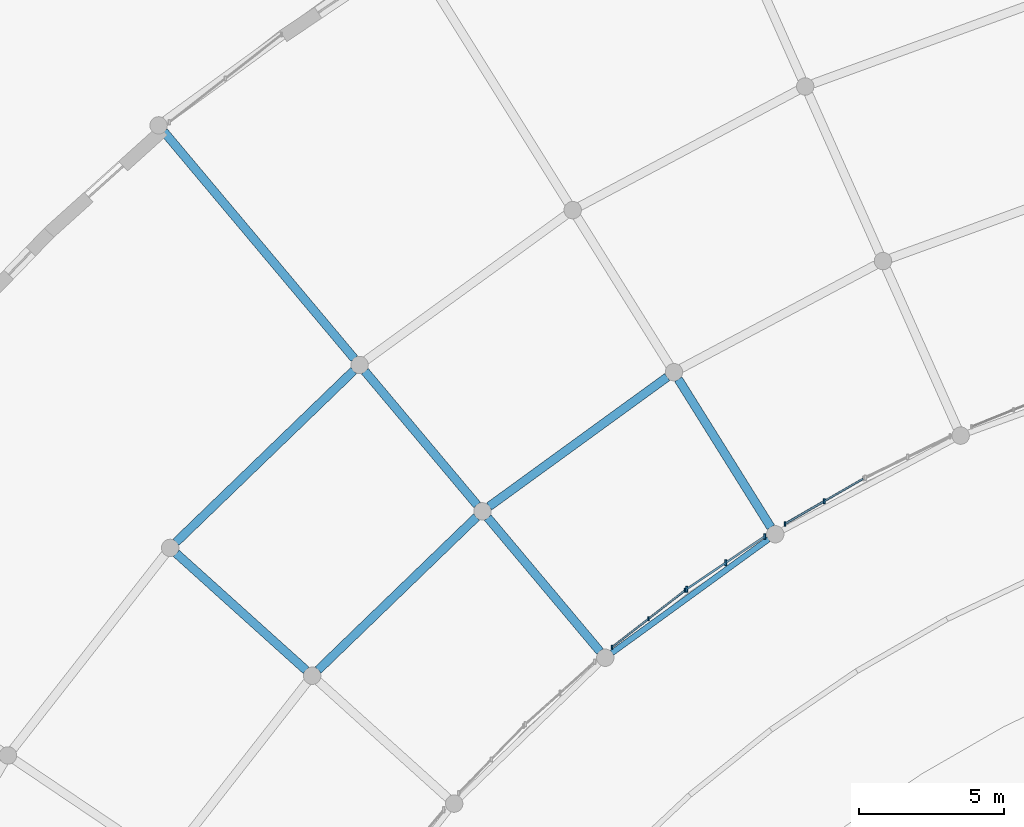
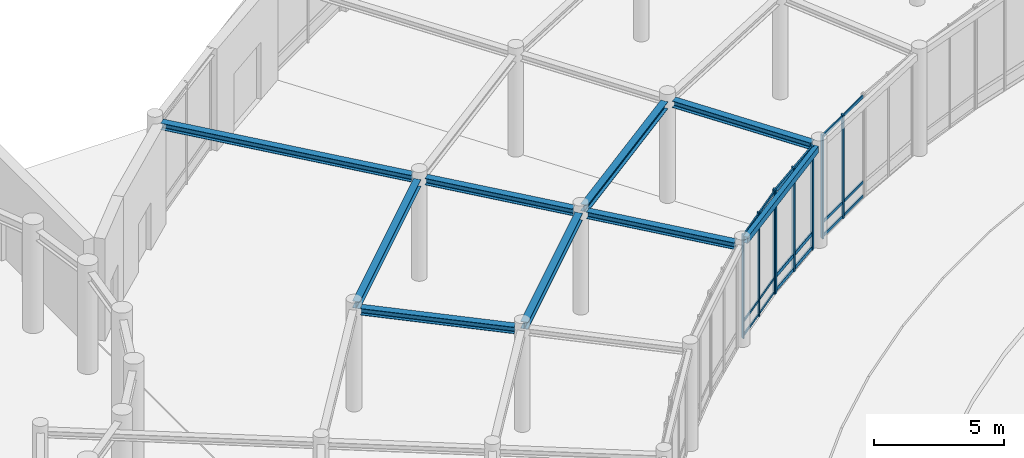
# One storey, part 20 of 64: 26 members, 9 beams, 3 elements without a shape of their own.
"""IFC4 building model written with IfcOpenShell, lengths in metres."""

from ifc_helpers import new_model, si_unit, direction, frame, origin, origin_2d, place, context, subcontext, project, spatial, rectangle, hollow_rectangle, i_section, extrude, material, material_profile, profile_set, type_object, element, aggregate, save


model = new_model("IFC4")

# Units and contexts
model_context = context("Model", 3, precision=1e-05, world=origin(), true_north=direction((0.0, 1.0)))
body_context = subcontext(model_context, "Body", "Model", "MODEL_VIEW")
ifc_project = project(units=[si_unit("LENGTHUNIT", "METRE"), si_unit("AREAUNIT", "SQUARE_METRE"), si_unit("VOLUMEUNIT", "CUBIC_METRE"), si_unit("PLANEANGLEUNIT", "RADIAN"), si_unit("MASSUNIT", "GRAM", prefix="KILO")], contexts=[model_context])

# Site, building, storey
site_placement = place(None, origin())
site = spatial("IfcSite", under=ifc_project, at=site_placement, CompositionType="ELEMENT")
building_placement = place(site_placement, origin())
building = spatial("IfcBuilding", under=site, at=building_placement, Name="Clarverna Civic Hall", CompositionType="ELEMENT")
storey_placement = place(building_placement, origin())
storey = spatial("IfcBuildingStorey", under=building, at=storey_placement, Name="L00", CompositionType="ELEMENT", Elevation=0.0)

# Beams
ifc_material_1 = material(Name="Steel S355", Category="steel")
ifc_material_profile_1 = material_profile(ifc_material_1, hollow_rectangle(XDim=0.199951171875, YDim=0.300048828125, WallThickness=0.010009765625, at=origin_2d()), Name="RHS 300x200x10.0")
ifc_profile_set_1 = profile_set([ifc_material_profile_1], Name="Steel S355")
beam_type_1 = type_object("IfcBeamType", Name="B-ST15", PredefinedType="SPANDREL", material=ifc_profile_set_1)
beam_1_placement = place(storey_placement, frame((124.213623046875, 51.930908203125, 4.7099609375), z_axis=(-0.809010803474, -0.587793773243, 0.0), x_axis=(0.587793773243, -0.809010803474, 0.0)))
element("IfcBeam", 1, at=beam_1_placement, inside=storey, type_object=beam_type_1, Name="B-ST15-004", PredefinedType="SPANDREL", context=body_context, shape_type="SweptSolid", body=[
    extrude(hollow_rectangle(XDim=0.199951171875, YDim=0.300048828125, WallThickness=0.010009765625, at=origin_2d()), origin(), (0.0, 0.0, 1.0), 6.6845703125),
])
ifc_material_profile_2 = material_profile(ifc_material_1, i_section(OverallWidth=0.300048828125, OverallDepth=0.330078125, WebThickness=0.009521484375, FlangeThickness=0.0166015625, FilletRadius=0.027099609375, at=origin_2d()), Name="HEA 340")
ifc_profile_set_2 = profile_set([ifc_material_profile_2], Name="Steel S355")
beam_type_2 = type_object("IfcBeamType", Name="B-ST8", PredefinedType="BEAM", material=ifc_profile_set_2)
beam_2_placement = place(storey_placement, frame((120.716064453125, 57.528076171875, 4.614990234375), z_axis=(-0.809006687262, -0.587799438555, 0.0), x_axis=(0.587799438555, -0.809006687262, 0.0)))
element("IfcBeam", 2, at=beam_2_placement, inside=storey, type_object=beam_type_2, Name="B-ST8-032", PredefinedType="BEAM", context=body_context, shape_type="SweptSolid", body=[
    extrude(i_section(OverallWidth=0.300048828125, OverallDepth=0.330078125, WebThickness=0.009521484375, FlangeThickness=0.0166015625, FilletRadius=0.027099609375, at=origin_2d()), origin(), (0.0, 0.0, 1.0), 7.60546875),
])
beam_3_placement = place(storey_placement, frame((114.127685546875, 52.692138671875, 4.614990234375), z_axis=(-0.719357761933, -0.694639770202, 0.0), x_axis=(0.694639770202, -0.719357761933, 0.0)))
element("IfcBeam", 3, at=beam_3_placement, inside=storey, type_object=beam_type_2, Name="B-ST8-033", PredefinedType="BEAM", context=body_context, shape_type="SweptSolid", body=[
    extrude(i_section(OverallWidth=0.300048828125, OverallDepth=0.330078125, WebThickness=0.009521484375, FlangeThickness=0.0166015625, FilletRadius=0.027099609375, at=origin_2d()), origin(), (0.0, 0.0, 1.0), 7.605224609375),
])
beam_4_placement = place(storey_placement, frame((109.88525390625, 57.748046875, 4.614990234375), z_axis=(-0.719340278243, -0.694657875574, 0.0), x_axis=(0.694657875574, -0.719340278243, 0.0)))
element("IfcBeam", 4, at=beam_4_placement, inside=storey, type_object=beam_type_2, Name="B-ST8-042", PredefinedType="BEAM", context=body_context, shape_type="SweptSolid", body=[
    extrude(i_section(OverallWidth=0.300048828125, OverallDepth=0.330078125, WebThickness=0.009521484375, FlangeThickness=0.0166015625, FilletRadius=0.027099609375, at=origin_2d()), origin(), (0.0, 0.0, 1.0), 8.5263671875),
])
ifc_material_profile_3 = material_profile(ifc_material_1, i_section(OverallWidth=0.300048828125, OverallDepth=0.31005859375, WebThickness=0.009033203125, FlangeThickness=0.015380859375, FilletRadius=0.027099609375, at=origin_2d()), Name="HEA 320")
ifc_profile_set_3 = profile_set([ifc_material_profile_3], Name="Steel S355")
beam_type_3 = type_object("IfcBeamType", Name="B-ST9", PredefinedType="BEAM", material=ifc_profile_set_3)
for number, where, z_axis, x_axis, name in (
    (5, (124.293212890625, 52.340087890625, 4.625), (-0.529933431478, 0.848039243315, 0.0), (-0.848039243315, -0.529933431478, 0.0), "B-ST9-031"),
    (6, (118.391845703125, 48.052490234375, 4.625), (-0.642773256367, 0.766056486755, 0.0), (-0.766056486755, -0.642773256367, 0.0), "B-ST9-034"),
    (7, (114.1494140625, 53.1083984375, 4.625), (-0.642773256367, 0.766056486755, 0.0), (-0.766056486755, -0.642773256367, 0.0), "B-ST9-035"),
):
    element("IfcBeam", number, at=place(storey_placement, frame(where, z_axis=z_axis, x_axis=x_axis)), inside=storey, type_object=beam_type_3, Name=name, PredefinedType="BEAM", context=body_context, shape_type="SweptSolid", body=[
        extrude(i_section(OverallWidth=0.300048828125, OverallDepth=0.31005859375, WebThickness=0.009033203125, FlangeThickness=0.015380859375, FilletRadius=0.027099609375, at=origin_2d()), origin(), (0.0, 0.0, 1.0), 6.030029296875),
    ])
beam_5_placement = place(storey_placement, frame((109.906982421875, 58.164306640625, 4.625), z_axis=(-0.642772230485, 0.766057347538, 0.0), x_axis=(-0.766057347538, -0.642772230485, 0.0)))
element("IfcBeam", 8, at=beam_5_placement, inside=storey, type_object=beam_type_3, Name="B-ST9-036", PredefinedType="BEAM", context=body_context, shape_type="SweptSolid", body=[
    extrude(i_section(OverallWidth=0.300048828125, OverallDepth=0.31005859375, WebThickness=0.009033203125, FlangeThickness=0.015380859375, FilletRadius=0.027099609375, at=origin_2d()), origin(), (0.0, 0.0, 1.0), 10.230224609375),
])
beam_6_placement = place(storey_placement, frame((108.239990234375, 47.40185546875, 4.625), z_axis=(-0.743163271958, 0.669110118898, 0.0), x_axis=(-0.669110118898, -0.743163271958, 0.0)))
element("IfcBeam", 9, at=beam_6_placement, inside=storey, type_object=beam_type_3, Name="B-ST9-038", PredefinedType="BEAM", context=body_context, shape_type="SweptSolid", body=[
    extrude(i_section(OverallWidth=0.300048828125, OverallDepth=0.31005859375, WebThickness=0.009033203125, FlangeThickness=0.015380859375, FilletRadius=0.027099609375, at=origin_2d()), origin(), (0.0, 0.0, 1.0), 6.02978515625),
])

# Curtain wall, members
ifc_material_2 = material(Name="Anodised Bronze Architectural Aluminium", Category="aluminium")
curtain_wall_type = type_object("IfcCurtainWallType", Name="CW-03", PredefinedType="USERDEFINED", material=ifc_material_2)
curtain_wall_1_placement = place(storey_placement, origin())
curtain_wall_1 = element("IfcCurtainWall", 10, at=curtain_wall_1_placement, inside=storey, type_object=curtain_wall_type, Name="CW-03-013", ObjectType="UNITISED CURTAIN WALL", PredefinedType="USERDEFINED")
ifc_material_profile_4 = material_profile(ifc_material_2, rectangle(XDim=0.06005859375, YDim=0.159912109375, at=origin_2d()), Name="BRONZE 60x160")
ifc_profile_set_4 = profile_set([ifc_material_profile_4], Name="Anodised Bronze Architectural Aluminium")
member_type_1 = type_object("IfcMemberType", Name="CWM-02", PredefinedType="MULLION", material=ifc_profile_set_4)
member_1_placement = place(storey_placement, frame((126.135498046875, 53.236572265625, 0.0), z_axis=(0.0, 0.0, 1.0), x_axis=(1.0, 0.0, 0.0)))
member_1 = element("IfcMember", 11, at=member_1_placement, type_object=member_type_1, Name="CWM-02-011", PredefinedType="MULLION", context=body_context, shape_type="SweptSolid", body=[
    extrude(rectangle(XDim=0.06005859375, YDim=0.159912109375, at=origin_2d()), origin(), (0.0, 0.0, 1.0), 4.860107421875),
])
member_2_placement = place(storey_placement, frame((124.78173828125, 52.455078125, 0.0), z_axis=(0.0, 0.0, 1.0), x_axis=(1.0, 0.0, 0.0)))
member_2 = element("IfcMember", 12, at=member_2_placement, type_object=member_type_1, Name="CWM-02-012", PredefinedType="MULLION", context=body_context, shape_type="SweptSolid", body=[
    extrude(rectangle(XDim=0.06005859375, YDim=0.159912109375, at=origin_2d()), origin(), (0.0, 0.0, 1.0), 4.860107421875),
])

curtain_wall_2_placement = place(storey_placement, origin())
curtain_wall_2 = element("IfcCurtainWall", 13, at=curtain_wall_2_placement, inside=storey, type_object=curtain_wall_type, Name="CW-03-014", ObjectType="UNITISED CURTAIN WALL", PredefinedType="USERDEFINED")
ifc_material_profile_5 = material_profile(ifc_material_2, rectangle(XDim=0.06494140625, YDim=0.199951171875, at=origin_2d()), Name="BRONZE 65x200")
ifc_profile_set_5 = profile_set([ifc_material_profile_5], Name="Anodised Bronze Architectural Aluminium")
member_type_2 = type_object("IfcMemberType", Name="CWM-03", PredefinedType="MULLION", material=ifc_profile_set_5)
member_3_placement = place(storey_placement, frame((124.076904296875, 52.01953125, 0.0), z_axis=(0.0, 0.0, 1.0), x_axis=(1.0, 0.0, 0.0)))
member_3 = element("IfcMember", 14, at=member_3_placement, type_object=member_type_2, Name="CWM-03-010", PredefinedType="MULLION", context=body_context, shape_type="SweptSolid", body=[
    extrude(rectangle(XDim=0.06494140625, YDim=0.199951171875, at=origin_2d()), origin(), (0.0, 0.0, 1.0), 4.860107421875),
])
member_4_placement = place(storey_placement, frame((122.73046875, 51.111572265625, 0.0), z_axis=(0.0, 0.0, 1.0), x_axis=(1.0, 0.0, 0.0)))
member_4 = element("IfcMember", 15, at=member_4_placement, type_object=member_type_2, Name="CWM-03-011", PredefinedType="MULLION", context=body_context, shape_type="SweptSolid", body=[
    extrude(rectangle(XDim=0.06494140625, YDim=0.199951171875, at=origin_2d()), origin(), (0.0, 0.0, 1.0), 4.860107421875),
])
member_5_placement = place(storey_placement, frame((121.38427734375, 50.20361328125, 0.0), z_axis=(0.0, 0.0, 1.0), x_axis=(1.0, 0.0, 0.0)))
member_5 = element("IfcMember", 16, at=member_5_placement, type_object=member_type_2, Name="CWM-03-012", PredefinedType="MULLION", context=body_context, shape_type="SweptSolid", body=[
    extrude(rectangle(XDim=0.06494140625, YDim=0.199951171875, at=origin_2d()), origin(), (0.0, 0.0, 1.0), 4.860107421875),
])

curtain_wall_3_placement = place(storey_placement, origin())
curtain_wall_3 = element("IfcCurtainWall", 17, at=curtain_wall_3_placement, inside=storey, type_object=curtain_wall_type, Name="CW-03-015", ObjectType="UNITISED CURTAIN WALL", PredefinedType="USERDEFINED")
ifc_material_profile_6 = material_profile(ifc_material_2, rectangle(XDim=0.054931640625, YDim=0.139892578125, at=origin_2d()), Name="BRONZE 55x140")
ifc_profile_set_6 = profile_set([ifc_material_profile_6], Name="Anodised Bronze Architectural Aluminium")
member_type_3 = type_object("IfcMemberType", Name="CWM-04", PredefinedType="MULLION", material=ifc_profile_set_6)
member_6_placement = place(storey_placement, frame((121.322998046875, 50.158935546875, 0.0), z_axis=(0.0, 0.0, 1.0), x_axis=(1.0, 0.0, 0.0)))
member_6 = element("IfcMember", 18, at=member_6_placement, type_object=member_type_3, Name="CWM-04-010", PredefinedType="MULLION", context=body_context, shape_type="SweptSolid", body=[
    extrude(rectangle(XDim=0.054931640625, YDim=0.139892578125, at=origin_2d()), origin(), (0.0, 0.0, 1.0), 4.860107421875),
])
member_7_placement = place(storey_placement, frame((120.06591796875, 49.1767578125, 0.0), z_axis=(0.0, 0.0, 1.0), x_axis=(1.0, 0.0, 0.0)))
member_7 = element("IfcMember", 19, at=member_7_placement, type_object=member_type_3, Name="CWM-04-011", PredefinedType="MULLION", context=body_context, shape_type="SweptSolid", body=[
    extrude(rectangle(XDim=0.054931640625, YDim=0.139892578125, at=origin_2d()), origin(), (0.0, 0.0, 1.0), 4.860107421875),
])
member_8_placement = place(storey_placement, frame((118.808837890625, 48.194580078125, 0.0), z_axis=(0.0, 0.0, 1.0), x_axis=(1.0, 0.0, 0.0)))
member_8 = element("IfcMember", 20, at=member_8_placement, type_object=member_type_3, Name="CWM-04-012", PredefinedType="MULLION", context=body_context, shape_type="SweptSolid", body=[
    extrude(rectangle(XDim=0.054931640625, YDim=0.139892578125, at=origin_2d()), origin(), (0.0, 0.0, 1.0), 4.860107421875),
])

# Member
ifc_material_profile_7 = material_profile(ifc_material_2, rectangle(XDim=0.06005859375, YDim=0.1298828125, at=origin_2d()), Name="BRONZE 60x130")
ifc_profile_set_7 = profile_set([ifc_material_profile_7], Name="Anodised Bronze Architectural Aluminium")
member_type_4 = type_object("IfcMemberType", Name="CWT-02", PredefinedType="USERDEFINED", material=ifc_profile_set_7)
member_9_placement = place(storey_placement, frame((127.475830078125, 54.010498046875, 0.094970703125), z_axis=(-0.86599994119, -0.500044099915, 0.0), x_axis=(0.500044099915, -0.86599994119, 0.0)))
member_9 = element("IfcMember", 21, at=member_9_placement, type_object=member_type_4, Name="CWT-02-019", ObjectType="TRANSOM", PredefinedType="USERDEFINED", context=body_context, shape_type="SweptSolid", body=[
    extrude(rectangle(XDim=0.06005859375, YDim=0.1298828125, at=origin_2d()), origin(), (0.0, 0.0, 1.0), 1.532958984375),
])

member_10_placement = place(storey_placement, frame((127.475830078125, 54.010498046875, 0.75), z_axis=(-0.86599994119, -0.500044099915, 0.0), x_axis=(0.500044099915, -0.86599994119, 0.0)))
member_10 = element("IfcMember", 22, at=member_10_placement, type_object=member_type_4, Name="CWT-02-020", ObjectType="TRANSOM", PredefinedType="USERDEFINED", context=body_context, shape_type="SweptSolid", body=[
    extrude(rectangle(XDim=0.06005859375, YDim=0.1298828125, at=origin_2d()), origin(), (0.0, 0.0, 1.0), 1.532958984375),
])

member_11_placement = place(storey_placement, frame((127.475830078125, 54.010498046875, 4.764892578125), z_axis=(-0.86599994119, -0.500044099915, 0.0), x_axis=(0.500044099915, -0.86599994119, 0.0)))
member_11 = element("IfcMember", 23, at=member_11_placement, type_object=member_type_4, Name="CWT-02-021", ObjectType="TRANSOM", PredefinedType="USERDEFINED", context=body_context, shape_type="SweptSolid", body=[
    extrude(rectangle(XDim=0.06005859375, YDim=0.1298828125, at=origin_2d()), origin(), (0.0, 0.0, 1.0), 1.532958984375),
])

member_12_placement = place(storey_placement, frame((126.122314453125, 53.22900390625, 0.094970703125), z_axis=(-0.8659601135, -0.500113069043, 0.0), x_axis=(0.500113069043, -0.8659601135, 0.0)))
member_12 = element("IfcMember", 24, at=member_12_placement, type_object=member_type_4, Name="CWT-02-022", ObjectType="TRANSOM", PredefinedType="USERDEFINED", context=body_context, shape_type="SweptSolid", body=[
    extrude(rectangle(XDim=0.06005859375, YDim=0.1298828125, at=origin_2d()), origin(), (0.0, 0.0, 1.0), 1.532958984375),
])

member_13_placement = place(storey_placement, frame((126.122314453125, 53.22900390625, 0.75), z_axis=(-0.8659601135, -0.500113069043, 0.0), x_axis=(0.500113069043, -0.8659601135, 0.0)))
member_13 = element("IfcMember", 25, at=member_13_placement, type_object=member_type_4, Name="CWT-02-023", ObjectType="TRANSOM", PredefinedType="USERDEFINED", context=body_context, shape_type="SweptSolid", body=[
    extrude(rectangle(XDim=0.06005859375, YDim=0.1298828125, at=origin_2d()), origin(), (0.0, 0.0, 1.0), 1.532958984375),
])

member_14_placement = place(storey_placement, frame((126.122314453125, 53.22900390625, 4.764892578125), z_axis=(-0.8659601135, -0.500113069043, 0.0), x_axis=(0.500113069043, -0.8659601135, 0.0)))
member_14 = element("IfcMember", 26, at=member_14_placement, type_object=member_type_4, Name="CWT-02-024", ObjectType="TRANSOM", PredefinedType="USERDEFINED", context=body_context, shape_type="SweptSolid", body=[
    extrude(rectangle(XDim=0.06005859375, YDim=0.1298828125, at=origin_2d()), origin(), (0.0, 0.0, 1.0), 1.532958984375),
])

aggregate(curtain_wall_1, [member_1, member_2, member_9, member_10, member_11, member_12, member_13, member_14])

ifc_material_profile_8 = material_profile(ifc_material_2, rectangle(XDim=0.06494140625, YDim=0.169921875, at=origin_2d()), Name="BRONZE 65x170")
ifc_profile_set_8 = profile_set([ifc_material_profile_8], Name="Anodised Bronze Architectural Aluminium")
member_type_5 = type_object("IfcMemberType", Name="CWT-03", PredefinedType="USERDEFINED", material=ifc_profile_set_8)
member_15_placement = place(storey_placement, frame((124.064453125, 52.01123046875, 0.094970703125), z_axis=(-0.829045709522, -0.559180839731, 0.0), x_axis=(0.559180839731, -0.829045709522, 0.0)))
member_15 = element("IfcMember", 27, at=member_15_placement, type_object=member_type_5, Name="CWT-03-019", ObjectType="TRANSOM", PredefinedType="USERDEFINED", context=body_context, shape_type="SweptSolid", body=[
    extrude(rectangle(XDim=0.06494140625, YDim=0.169921875, at=origin_2d()), origin(), (0.0, 0.0, 1.0), 1.593994140625),
])

member_16_placement = place(storey_placement, frame((124.064453125, 52.01123046875, 0.75), z_axis=(-0.829045709522, -0.559180839731, 0.0), x_axis=(0.559180839731, -0.829045709522, 0.0)))
member_16 = element("IfcMember", 28, at=member_16_placement, type_object=member_type_5, Name="CWT-03-020", ObjectType="TRANSOM", PredefinedType="USERDEFINED", context=body_context, shape_type="SweptSolid", body=[
    extrude(rectangle(XDim=0.06494140625, YDim=0.169921875, at=origin_2d()), origin(), (0.0, 0.0, 1.0), 1.593994140625),
])

member_17_placement = place(storey_placement, frame((124.064453125, 52.01123046875, 4.764892578125), z_axis=(-0.829045709522, -0.559180839731, 0.0), x_axis=(0.559180839731, -0.829045709522, 0.0)))
member_17 = element("IfcMember", 29, at=member_17_placement, type_object=member_type_5, Name="CWT-03-021", ObjectType="TRANSOM", PredefinedType="USERDEFINED", context=body_context, shape_type="SweptSolid", body=[
    extrude(rectangle(XDim=0.06494140625, YDim=0.169921875, at=origin_2d()), origin(), (0.0, 0.0, 1.0), 1.593994140625),
])

member_18_placement = place(storey_placement, frame((122.718017578125, 51.103271484375, 0.094970703125), z_axis=(-0.82899781038, -0.559251848799, 0.0), x_axis=(0.559251848799, -0.82899781038, 0.0)))
member_18 = element("IfcMember", 30, at=member_18_placement, type_object=member_type_5, Name="CWT-03-022", ObjectType="TRANSOM", PredefinedType="USERDEFINED", context=body_context, shape_type="SweptSolid", body=[
    extrude(rectangle(XDim=0.06494140625, YDim=0.169921875, at=origin_2d()), origin(), (0.0, 0.0, 1.0), 1.59375),
])

member_19_placement = place(storey_placement, frame((122.718017578125, 51.103271484375, 0.75), z_axis=(-0.82899781038, -0.559251848799, 0.0), x_axis=(0.559251848799, -0.82899781038, 0.0)))
member_19 = element("IfcMember", 31, at=member_19_placement, type_object=member_type_5, Name="CWT-03-023", ObjectType="TRANSOM", PredefinedType="USERDEFINED", context=body_context, shape_type="SweptSolid", body=[
    extrude(rectangle(XDim=0.06494140625, YDim=0.169921875, at=origin_2d()), origin(), (0.0, 0.0, 1.0), 1.59375),
])

member_20_placement = place(storey_placement, frame((122.718017578125, 51.103271484375, 4.764892578125), z_axis=(-0.82899781038, -0.559251848799, 0.0), x_axis=(0.559251848799, -0.82899781038, 0.0)))
member_20 = element("IfcMember", 32, at=member_20_placement, type_object=member_type_5, Name="CWT-03-024", ObjectType="TRANSOM", PredefinedType="USERDEFINED", context=body_context, shape_type="SweptSolid", body=[
    extrude(rectangle(XDim=0.06494140625, YDim=0.169921875, at=origin_2d()), origin(), (0.0, 0.0, 1.0), 1.59375),
])

aggregate(curtain_wall_2, [member_3, member_4, member_5, member_15, member_16, member_17, member_18, member_19, member_20])

ifc_material_profile_9 = material_profile(ifc_material_2, rectangle(XDim=0.054931640625, YDim=0.110107421875, at=origin_2d()), Name="BRONZE 55x110")
ifc_profile_set_9 = profile_set([ifc_material_profile_9], Name="Anodised Bronze Architectural Aluminium")
member_type_6 = type_object("IfcMemberType", Name="CWT-04", PredefinedType="USERDEFINED", material=ifc_profile_set_9)
member_21_placement = place(storey_placement, frame((121.311279296875, 50.149658203125, 0.094970703125), z_axis=(-0.788074025404, -0.615580482539, 0.0), x_axis=(0.615580482539, -0.788074025404, 0.0)))
member_21 = element("IfcMember", 33, at=member_21_placement, type_object=member_type_6, Name="CWT-04-019", ObjectType="TRANSOM", PredefinedType="USERDEFINED", context=body_context, shape_type="SweptSolid", body=[
    extrude(rectangle(XDim=0.054931640625, YDim=0.110107421875, at=origin_2d()), origin(), (0.0, 0.0, 1.0), 1.5654296875),
])

member_22_placement = place(storey_placement, frame((121.311279296875, 50.149658203125, 0.75), z_axis=(-0.788074025404, -0.615580482539, 0.0), x_axis=(0.615580482539, -0.788074025404, 0.0)))
member_22 = element("IfcMember", 34, at=member_22_placement, type_object=member_type_6, Name="CWT-04-020", ObjectType="TRANSOM", PredefinedType="USERDEFINED", context=body_context, shape_type="SweptSolid", body=[
    extrude(rectangle(XDim=0.054931640625, YDim=0.110107421875, at=origin_2d()), origin(), (0.0, 0.0, 1.0), 1.5654296875),
])

member_23_placement = place(storey_placement, frame((121.311279296875, 50.149658203125, 4.764892578125), z_axis=(-0.788074025404, -0.615580482539, 0.0), x_axis=(0.615580482539, -0.788074025404, 0.0)))
member_23 = element("IfcMember", 35, at=member_23_placement, type_object=member_type_6, Name="CWT-04-021", ObjectType="TRANSOM", PredefinedType="USERDEFINED", context=body_context, shape_type="SweptSolid", body=[
    extrude(rectangle(XDim=0.054931640625, YDim=0.110107421875, at=origin_2d()), origin(), (0.0, 0.0, 1.0), 1.5654296875),
])

member_24_placement = place(storey_placement, frame((120.05419921875, 49.16748046875, 0.094970703125), z_axis=(-0.788074025404, -0.615580482539, 0.0), x_axis=(0.615580482539, -0.788074025404, 0.0)))
member_24 = element("IfcMember", 36, at=member_24_placement, type_object=member_type_6, Name="CWT-04-022", ObjectType="TRANSOM", PredefinedType="USERDEFINED", context=body_context, shape_type="SweptSolid", body=[
    extrude(rectangle(XDim=0.054931640625, YDim=0.110107421875, at=origin_2d()), origin(), (0.0, 0.0, 1.0), 1.5654296875),
])

member_25_placement = place(storey_placement, frame((120.05419921875, 49.16748046875, 0.75), z_axis=(-0.788074025404, -0.615580482539, 0.0), x_axis=(0.615580482539, -0.788074025404, 0.0)))
member_25 = element("IfcMember", 37, at=member_25_placement, type_object=member_type_6, Name="CWT-04-023", ObjectType="TRANSOM", PredefinedType="USERDEFINED", context=body_context, shape_type="SweptSolid", body=[
    extrude(rectangle(XDim=0.054931640625, YDim=0.110107421875, at=origin_2d()), origin(), (0.0, 0.0, 1.0), 1.5654296875),
])

member_26_placement = place(storey_placement, frame((120.05419921875, 49.16748046875, 4.764892578125), z_axis=(-0.788074025404, -0.615580482539, 0.0), x_axis=(0.615580482539, -0.788074025404, 0.0)))
member_26 = element("IfcMember", 38, at=member_26_placement, type_object=member_type_6, Name="CWT-04-024", ObjectType="TRANSOM", PredefinedType="USERDEFINED", context=body_context, shape_type="SweptSolid", body=[
    extrude(rectangle(XDim=0.054931640625, YDim=0.110107421875, at=origin_2d()), origin(), (0.0, 0.0, 1.0), 1.5654296875),
])

aggregate(curtain_wall_3, [member_6, member_7, member_8, member_21, member_22, member_23, member_24, member_25, member_26])

save(model, "model.ifc")
